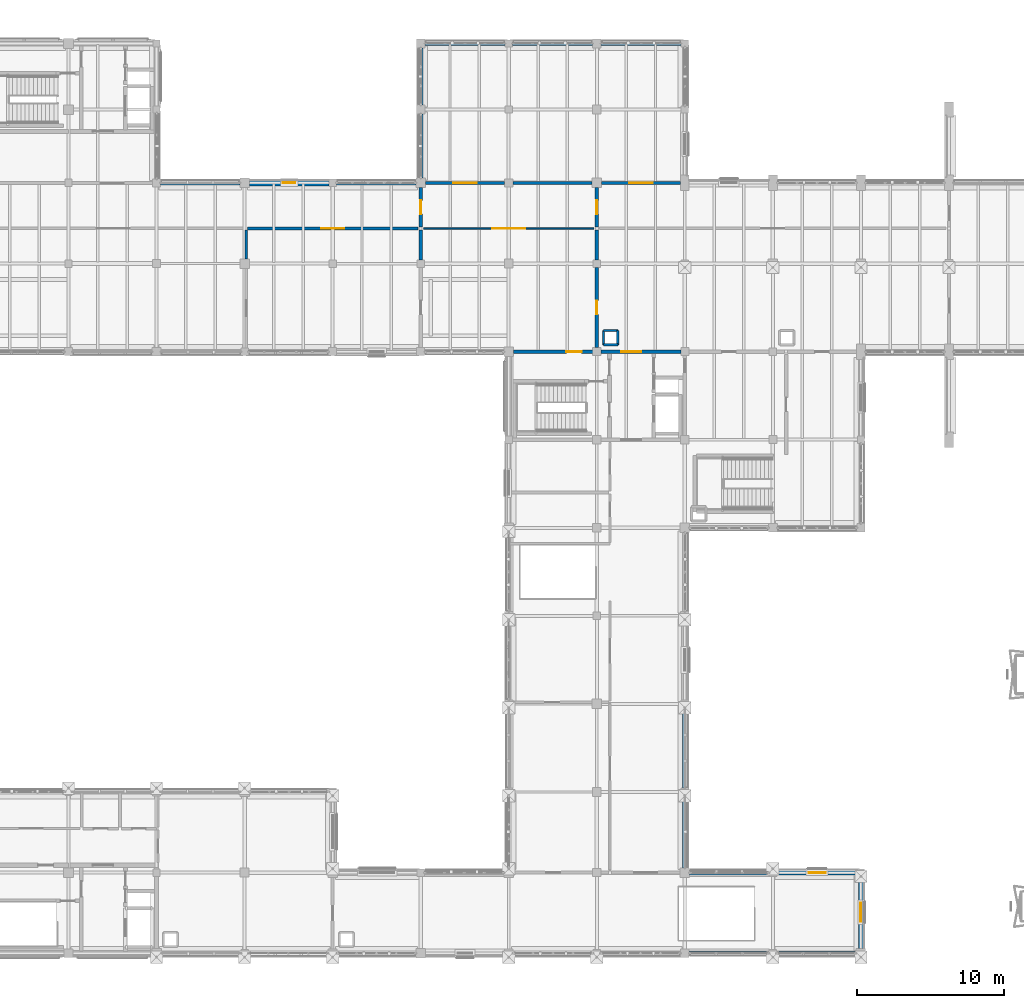
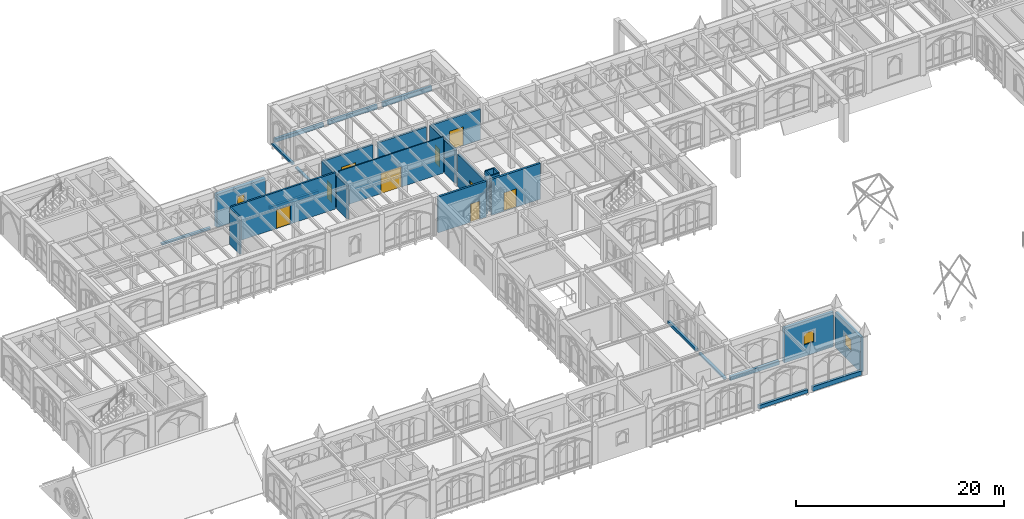
# One storey, part 105 of 143: 32 walls, 9 doors, 3 windows, 12 openings.
"""IFC4 building model written with IfcOpenShell, lengths in metres."""

from ifc_helpers import new_model, si_unit, direction, frame, frame_2d, origin, place, context, subcontext, project, spatial, rectangle, extrude, material, layer, layer_set, type_object, element, fill, save


model = new_model("IFC4")

# Units and contexts
model_context = context("Model", 3, precision=1e-05, world=origin(), true_north=direction((0.0, 1.0)))
body_context = subcontext(model_context, "Body", "Model", "MODEL_VIEW")
ifc_project = project(units=[si_unit("LENGTHUNIT", "METRE"), si_unit("AREAUNIT", "SQUARE_METRE"), si_unit("VOLUMEUNIT", "CUBIC_METRE"), si_unit("PLANEANGLEUNIT", "RADIAN"), si_unit("MASSUNIT", "GRAM", prefix="KILO")], contexts=[model_context])

# Site, building, storey
site_placement = place(None, origin())
site = spatial("IfcSite", under=ifc_project, at=site_placement, CompositionType="ELEMENT")
building_placement = place(site_placement, origin())
building = spatial("IfcBuilding", under=site, at=building_placement, Name="Cumevento Cable Car Station", CompositionType="ELEMENT")
storey_placement = place(building_placement, frame((0.0, 0.0, 9.0)))
storey = spatial("IfcBuildingStorey", under=building, at=storey_placement, Name="L03", CompositionType="ELEMENT", Elevation=9.0)

# Walls
ifc_material_1 = material(Name="Gnaisse Facoidal Stone Ashlar 85 MPa", Category="masonry")
ifc_layer_1 = layer(ifc_material_1, 0.294921875)
ifc_layer_set_1 = layer_set([ifc_layer_1], Name="Gnaisse Facoidal Stone Ashlar 85 MPa")
wall_type_1 = type_object("IfcWallType", Name="Exterior Envelope Wall EW-295 295", PredefinedType="SOLIDWALL", material=ifc_layer_set_1)
wall_1_placement = place(storey_placement, frame((75.75, 4.0, 0.0), z_axis=(0.0, 0.0, 1.0), x_axis=(-1.0, 0.0, 0.0)))
element("IfcWall", 1, at=wall_1_placement, inside=storey, type_object=wall_type_1, Name="Exterior Sill Curb Wall EW-295 L03 #196", PredefinedType="SOLIDWALL", context=body_context, shape_type="SweptSolid", body=[
    extrude(rectangle(XDim=5.449951171875, YDim=0.294921875, at=frame_2d((2.72509765625, 0.0))), origin(), (0.0, 0.0, 1.0), 0.409912109375),
])
wall_2_placement = place(storey_placement, frame((70.324951171875, 9.5, 0.0), z_axis=(0.0, 0.0, 1.0), x_axis=(1.0, 0.0, 0.0)))
element("IfcWall", 2, at=wall_2_placement, inside=storey, type_object=wall_type_1, Name="Exterior Sill Curb Wall EW-295 L03 #197", PredefinedType="SOLIDWALL", context=body_context, shape_type="SweptSolid", body=[
    extrude(rectangle(XDim=5.400146484375, YDim=0.294921875, at=frame_2d((2.7001953125, 0.0))), origin(), (0.0, 0.0, 1.0), 0.4599609375),
])
wall_3_placement = place(storey_placement, frame((81.675048828125, 4.0, 0.0), z_axis=(0.0, 0.0, 1.0), x_axis=(-1.0, 0.0, 0.0)))
element("IfcWall", 3, at=wall_3_placement, inside=storey, type_object=wall_type_1, Name="Exterior Sill Curb Wall EW-295 L03 #198", PredefinedType="SOLIDWALL", context=body_context, shape_type="SweptSolid", body=[
    extrude(rectangle(XDim=5.425048828125, YDim=0.294921875, at=frame_2d((2.71240234375, 0.0))), origin(), (0.0, 0.0, 1.0), 0.52001953125),
])
wall_4_placement = place(storey_placement, frame((70.0, 14.75, 0.0), z_axis=(0.0, 0.0, 1.0), x_axis=(0.0, -1.0, 0.0)))
element("IfcWall", 4, at=wall_4_placement, inside=storey, type_object=wall_type_1, Name="Exterior Sill Curb Wall EW-295 L03 #202", PredefinedType="SOLIDWALL", context=body_context, shape_type="SweptSolid", body=[
    extrude(rectangle(XDim=4.925048828125, YDim=0.294921875, at=frame_2d((2.46240234375, 0.0))), origin(), (0.0, 0.0, 1.0), 0.2099609375),
])
wall_5_placement = place(storey_placement, frame((70.0, 20.72509765625, 0.0), z_axis=(0.0, 0.0, 1.0), x_axis=(0.0, -1.0, 0.0)))
element("IfcWall", 5, at=wall_5_placement, inside=storey, type_object=wall_type_1, Name="Exterior Sill Curb Wall EW-295 L03 #204", PredefinedType="SOLIDWALL", context=body_context, shape_type="SweptSolid", body=[
    extrude(rectangle(XDim=5.47509765625, YDim=0.294921875, at=frame_2d((2.737548828125, 0.0))), origin(), (0.0, 0.0, 1.0), 0.31005859375),
])
wall_6_placement = place(storey_placement, frame((34.27490234375, 56.5, 0.0), z_axis=(0.0, 0.0, 1.0), x_axis=(1.0, 0.0, 0.0)))
element("IfcWall", 6, at=wall_6_placement, inside=storey, type_object=wall_type_1, Name="Exterior Sill Curb Wall EW-295 L03 #228", PredefinedType="SOLIDWALL", context=body_context, shape_type="SweptSolid", body=[
    extrude(rectangle(XDim=5.400146484375, YDim=0.294921875, at=frame_2d((2.7001953125, 0.0))), origin(), (0.0, 0.0, 1.0), 0.2099609375),
])
wall_7_placement = place(storey_placement, frame((46.25, 56.5, 0.0), z_axis=(0.0, 0.0, 1.0), x_axis=(1.0, 0.0, 0.0)))
element("IfcWall", 7, at=wall_7_placement, inside=storey, type_object=wall_type_1, Name="Exterior Sill Curb Wall EW-295 L03 #232", PredefinedType="SOLIDWALL", context=body_context, shape_type="SweptSolid", body=[
    extrude(rectangle(XDim=5.425048828125, YDim=0.294921875, at=frame_2d((2.71240234375, 0.0))), origin(), (0.0, 0.0, 1.0), 0.31005859375),
])
wall_8_placement = place(storey_placement, frame((52.300048828125, 66.0, 0.0), z_axis=(0.0, 0.0, 1.0), x_axis=(1.0, 0.0, 0.0)))
element("IfcWall", 8, at=wall_8_placement, inside=storey, type_object=wall_type_1, Name="Exterior Sill Curb Wall EW-295 L03 #257", PredefinedType="SOLIDWALL", context=body_context, shape_type="SweptSolid", body=[
    extrude(rectangle(XDim=5.449951171875, YDim=0.294921875, at=frame_2d((2.72509765625, 0.0))), origin(), (0.0, 0.0, 1.0), 0.409912109375),
])
wall_9_placement = place(storey_placement, frame((58.25, 66.0, 0.0), z_axis=(0.0, 0.0, 1.0), x_axis=(1.0, 0.0, 0.0)))
element("IfcWall", 9, at=wall_9_placement, inside=storey, type_object=wall_type_1, Name="Exterior Sill Curb Wall EW-295 L03 #258", PredefinedType="SOLIDWALL", context=body_context, shape_type="SweptSolid", body=[
    extrude(rectangle(XDim=5.449951171875, YDim=0.294921875, at=frame_2d((2.72509765625, 0.0))), origin(), (0.0, 0.0, 1.0), 0.4599609375),
])
wall_10_placement = place(storey_placement, frame((64.300048828125, 66.0, 0.0), z_axis=(0.0, 0.0, 1.0), x_axis=(1.0, 0.0, 0.0)))
element("IfcWall", 10, at=wall_10_placement, inside=storey, type_object=wall_type_1, Name="Exterior Sill Curb Wall EW-295 L03 #259", PredefinedType="SOLIDWALL", context=body_context, shape_type="SweptSolid", body=[
    extrude(rectangle(XDim=5.449951171875, YDim=0.294921875, at=frame_2d((2.72509765625, 0.0))), origin(), (0.0, 0.0, 1.0), 0.52001953125),
])
wall_11_placement = place(storey_placement, frame((52.0, 56.824951171875, 0.0), z_axis=(0.0, 0.0, 1.0), x_axis=(0.0, 1.0, 0.0)))
element("IfcWall", 11, at=wall_11_placement, inside=storey, type_object=wall_type_1, Name="Exterior Sill Curb Wall EW-295 L03 #260", PredefinedType="SOLIDWALL", context=body_context, shape_type="SweptSolid", body=[
    extrude(rectangle(XDim=4.375, YDim=0.294921875, at=frame_2d((2.1875, 0.0))), origin(), (0.0, 0.0, 1.0), 0.159912109375),
])
wall_12_placement = place(storey_placement, frame((52.0, 61.800048828125, 0.0), z_axis=(0.0, 0.0, 1.0), x_axis=(0.0, 1.0, 0.0)))
element("IfcWall", 12, at=wall_12_placement, inside=storey, type_object=wall_type_1, Name="Exterior Sill Curb Wall EW-295 L03 #262", PredefinedType="SOLIDWALL", context=body_context, shape_type="SweptSolid", body=[
    extrude(rectangle(XDim=3.89990234375, YDim=0.294921875, at=frame_2d((1.949951171875, 0.0))), origin(), (0.0, 0.0, 1.0), 0.2099609375),
])

# Wall, opening, window
ifc_material_2 = material(Name="Gnaisse Facoidal Stone Ashlar 85 MPa", Category="masonry")
ifc_layer_2 = layer(ifc_material_2, 0.324951171875)
ifc_layer_set_2 = layer_set([ifc_layer_2], Name="Gnaisse Facoidal Stone Ashlar 85 MPa")
wall_type_2 = type_object("IfcWallType", Name="Exterior Envelope Wall EW-325 325", PredefinedType="SOLIDWALL", material=ifc_layer_set_2)
wall_13_placement = place(storey_placement, frame((76.27490234375, 9.5, 0.0), z_axis=(0.0, 0.0, 1.0), x_axis=(1.0, 0.0, 0.0)))
wall_13 = element("IfcWall", 13, at=wall_13_placement, inside=storey, type_object=wall_type_2, Name="Exterior Wall EW-325 L03 #199", PredefinedType="SOLIDWALL", context=body_context, shape_type="SweptSolid", body=[
    extrude(rectangle(XDim=5.47509765625, YDim=0.324951171875, at=frame_2d((2.737548828125, 0.0))), origin(), (0.0, 0.0, 1.0), 4.093017578125),
])
opening_1_placement = place(wall_13_placement, frame((2.16259765625, 0.0, 1.35009765625)))
opening_1 = element("IfcOpeningElement", 14, at=opening_1_placement, cuts=wall_13, Name="Opening WN-L03-066", PredefinedType="OPENING", context=body_context, shape_type="SweptSolid", body=[
    extrude(rectangle(XDim=1.14990234375, YDim=1.35009765625, at=frame_2d((0.574951171875, 0.675048828125))), frame((0.0, 0.172607421875, 0.0), z_axis=(0.0, -1.0, 0.0), x_axis=(1.0, 0.0, 0.0)), (0.0, 0.0, 1.0), 0.344970703125),
])
ifc_material_3 = material(Name="Anodised Bronze Aluminium & Laminated Solar Glass", Category="aluminium")
window_type_1 = type_object("IfcWindowType", Name="Lancet Window WN-18 1150x1350", PartitioningType="SINGLE_PANEL", PredefinedType="WINDOW", material=ifc_material_3)
window_1_placement = place(opening_1_placement, origin())
window_1 = element("IfcWindow", 15, at=window_1_placement, inside=storey, type_object=window_type_1, Name="Lancet Window WN-L03-066 (WN-18)", OverallHeight=1.35009765625, OverallWidth=1.14990234375, PartitioningType="SINGLE_PANEL", PredefinedType="WINDOW", context=body_context, shape_type="SweptSolid", body=[
    extrude(rectangle(XDim=1.14990234375, YDim=1.35009765625, at=frame_2d((0.574951171875, 0.675048828125))), frame((0.0, 0.030029296875, 0.0), z_axis=(0.0, -1.0, 0.0), x_axis=(1.0, 0.0, 0.0)), (0.0, 0.0, 1.0), 0.06005859375),
])
fill(opening_1, window_1)

ifc_material_4 = material(Name="Concrete C40/50", Category="concrete")
ifc_layer_3 = layer(ifc_material_4, 0.340087890625)
ifc_layer_set_3 = layer_set([ifc_layer_3], Name="Concrete C40/50")
wall_type_3 = type_object("IfcWallType", Name="Exterior Envelope Wall EW-340 340", PredefinedType="SOLIDWALL", material=ifc_layer_set_3)
wall_14_placement = place(storey_placement, frame((82.0, 9.25, 0.0), z_axis=(0.0, 0.0, 1.0), x_axis=(0.0, -1.0, 0.0)))
wall_14 = element("IfcWall", 16, at=wall_14_placement, inside=storey, type_object=wall_type_3, Name="Exterior Wall EW-340 L03 #200", PredefinedType="SOLIDWALL", context=body_context, shape_type="SweptSolid", body=[
    extrude(rectangle(XDim=4.925048828125, YDim=0.340087890625, at=frame_2d((2.46240234375, 0.0))), origin(), (0.0, 0.0, 1.0), 4.093017578125),
])
opening_2_placement = place(wall_14_placement, frame((1.8125, 0.0, 1.300048828125)))
opening_2 = element("IfcOpeningElement", 17, at=opening_2_placement, cuts=wall_14, Name="Opening WN-L03-067", PredefinedType="OPENING", context=body_context, shape_type="SweptSolid", body=[
    extrude(rectangle(XDim=1.300048828125, YDim=1.449951171875, at=frame_2d((0.64990234375, 0.72509765625))), frame((0.0, 0.179931640625, 0.0), z_axis=(0.0, -1.0, 0.0), x_axis=(1.0, 0.0, 0.0)), (0.0, 0.0, 1.0), 0.360107421875),
])
ifc_material_5 = material(Name="Anodised Bronze Aluminium & Laminated Solar Glass", Category="aluminium")
window_type_2 = type_object("IfcWindowType", Name="Lancet Window WN-19 1300x1450", PartitioningType="SINGLE_PANEL", PredefinedType="WINDOW", material=ifc_material_5)
window_2_placement = place(opening_2_placement, origin())
window_2 = element("IfcWindow", 18, at=window_2_placement, inside=storey, type_object=window_type_2, Name="Lancet Window WN-L03-067 (WN-19)", OverallHeight=1.449951171875, OverallWidth=1.300048828125, PartitioningType="SINGLE_PANEL", PredefinedType="WINDOW", context=body_context, shape_type="SweptSolid", body=[
    extrude(rectangle(XDim=1.300048828125, YDim=1.449951171875, at=frame_2d((0.64990234375, 0.72509765625))), frame((0.0, 0.030029296875, 0.0), z_axis=(0.0, -1.0, 0.0), x_axis=(1.0, 0.0, 0.0)), (0.0, 0.0, 1.0), 0.06005859375),
])
fill(opening_2, window_2)

ifc_material_6 = material(Name="Concrete C40/50", Category="concrete")
ifc_layer_4 = layer(ifc_material_6, 0.39990234375)
ifc_layer_set_4 = layer_set([ifc_layer_4], Name="Concrete C40/50")
wall_type_4 = type_object("IfcWallType", Name="Exterior Envelope Wall EW-400 400", PredefinedType="SOLIDWALL", material=ifc_layer_set_4)
wall_15_placement = place(storey_placement, frame((40.324951171875, 56.5, 0.0), z_axis=(0.0, 0.0, 1.0), x_axis=(1.0, 0.0, 0.0)))
wall_15 = element("IfcWall", 19, at=wall_15_placement, inside=storey, type_object=wall_type_4, Name="Exterior Wall EW-400 L03 #230", PredefinedType="SOLIDWALL", context=body_context, shape_type="SweptSolid", body=[
    extrude(rectangle(XDim=5.425048828125, YDim=0.39990234375, at=frame_2d((2.71240234375, 0.0))), origin(), (0.0, 0.0, 1.0), 3.89306640625),
])
opening_3_placement = place(wall_15_placement, frame((2.28759765625, 0.0, 0.89990234375)))
opening_3 = element("IfcOpeningElement", 20, at=opening_3_placement, cuts=wall_15, Name="Opening WN-L03-073", PredefinedType="OPENING", context=body_context, shape_type="SweptSolid", body=[
    extrude(rectangle(XDim=0.85009765625, YDim=1.949951171875, at=frame_2d((0.425048828125, 0.97509765625))), frame((0.0, 0.2099609375, 0.0), z_axis=(0.0, -1.0, 0.0), x_axis=(1.0, 0.0, 0.0)), (0.0, 0.0, 1.0), 0.419921875),
])
ifc_material_7 = material(Name="Anodised Bronze Aluminium & Laminated Solar Glass", Category="aluminium")
window_type_3 = type_object("IfcWindowType", Name="Lancet Window WN-01 850x1950", PartitioningType="SINGLE_PANEL", PredefinedType="WINDOW", material=ifc_material_7)
window_3_placement = place(opening_3_placement, origin())
window_3 = element("IfcWindow", 21, at=window_3_placement, inside=storey, type_object=window_type_3, Name="Lancet Window WN-L03-073 (WN-01)", OverallHeight=1.949951171875, OverallWidth=0.85009765625, PartitioningType="SINGLE_PANEL", PredefinedType="WINDOW", context=body_context, shape_type="SweptSolid", body=[
    extrude(rectangle(XDim=0.85009765625, YDim=1.949951171875, at=frame_2d((0.425048828125, 0.97509765625))), frame((0.0, 0.030029296875, 0.0), z_axis=(0.0, -1.0, 0.0), x_axis=(1.0, 0.0, 0.0)), (0.0, 0.0, 1.0), 0.06005859375),
])
fill(opening_3, window_3)

# Wall
ifc_material_8 = material(Name="Concrete C40/50", Category="concrete")
ifc_layer_5 = layer(ifc_material_8, 0.219970703125)
ifc_layer_set_5 = layer_set([ifc_layer_5], Name="Concrete C40/50")
wall_type_5 = type_object("IfcWallType", Name="Interior Partition FW-220 220", PredefinedType="SOLIDWALL", material=ifc_layer_set_5)
wall_16_placement = place(storey_placement, frame((52.0, 51.251953125, 0.0), z_axis=(0.0, 0.0, 1.0), x_axis=(0.0, 1.0, 0.0)))
element("IfcWall", 22, at=wall_16_placement, inside=storey, type_object=wall_type_5, Name="Interior Wall FW-220 L03 #655", PredefinedType="SOLIDWALL", context=body_context, shape_type="SweptSolid", body=[
    extrude(rectangle(XDim=2.048095703125, YDim=0.219970703125, at=frame_2d((1.02392578125, 0.0))), origin(), (0.0, 0.0, 1.0), 3.885986328125),
])

# Wall, opening, door
wall_17_placement = place(storey_placement, frame((52.0, 53.5, 0.0), z_axis=(0.0, 0.0, 1.0), x_axis=(0.0, 1.0, 0.0)))
wall_17 = element("IfcWall", 23, at=wall_17_placement, inside=storey, type_object=wall_type_5, Name="Interior Wall FW-220 L03 #658", PredefinedType="SOLIDWALL", context=body_context, shape_type="SweptSolid", body=[
    extrude(rectangle(XDim=2.673095703125, YDim=0.219970703125, at=frame_2d((1.33642578125, 0.0))), origin(), (0.0, 0.0, 1.0), 3.885986328125),
])
opening_4_placement = place(wall_17_placement, frame((0.866455078125, 0.0, 0.0)))
opening_4 = element("IfcOpeningElement", 24, at=opening_4_placement, cuts=wall_17, Name="Opening DR-L03-252", PredefinedType="OPENING", context=body_context, shape_type="SweptSolid", body=[
    extrude(rectangle(XDim=0.93994140625, YDim=2.10009765625, at=frame_2d((0.469970703125, 1.050048828125))), frame((0.0, 0.119873046875, 0.0), z_axis=(0.0, -1.0, 0.0), x_axis=(1.0, 0.0, 0.0)), (0.0, 0.0, 1.0), 0.239990234375),
])
ifc_material_9 = material(Name="Galvanised Painted Steel Fire Door", Category="steel")
door_type_1 = type_object("IfcDoorType", Name="Interior Door FD-08 940x2100", OperationType="NOTDEFINED", PredefinedType="DOOR", material=ifc_material_9)
door_1_placement = place(opening_4_placement, origin())
door_1 = element("IfcDoor", 25, at=door_1_placement, inside=storey, type_object=door_type_1, Name="Interior Door DR-L03-252 (FD-08)", OperationType="SINGLE_SWING_RIGHT", OverallHeight=2.10009765625, OverallWidth=0.93994140625, PredefinedType="DOOR", context=body_context, shape_type="SweptSolid", body=[
    extrude(rectangle(XDim=0.93994140625, YDim=2.10009765625, at=frame_2d((0.469970703125, 1.050048828125))), frame((0.0, 0.02490234375, 0.0), z_axis=(0.0, -1.0, 0.0), x_axis=(1.0, 0.0, 0.0)), (0.0, 0.0, 1.0), 0.050048828125),
])
fill(opening_4, door_1)

wall_18_placement = place(storey_placement, frame((64.0, 45.277099609375, 0.0), z_axis=(0.0, 0.0, 1.0), x_axis=(0.0, 1.0, 0.0)))
wall_18 = element("IfcWall", 26, at=wall_18_placement, inside=storey, type_object=wall_type_5, Name="Interior Wall FW-220 L03 #660", PredefinedType="SOLIDWALL", context=body_context, shape_type="SweptSolid", body=[
    extrude(rectangle(XDim=5.470947265625, YDim=0.219970703125, at=frame_2d((2.7353515625, 0.0))), origin(), (0.0, 0.0, 1.0), 3.759033203125),
])
opening_5_placement = place(wall_18_placement, frame((2.265380859375, 0.0, 0.0)))
opening_5 = element("IfcOpeningElement", 27, at=opening_5_placement, cuts=wall_18, Name="Opening DR-L03-254", PredefinedType="OPENING", context=body_context, shape_type="SweptSolid", body=[
    extrude(rectangle(XDim=0.93994140625, YDim=2.10009765625, at=frame_2d((0.469970703125, 1.050048828125))), frame((0.0, 0.119873046875, 0.0), z_axis=(0.0, -1.0, 0.0), x_axis=(1.0, 0.0, 0.0)), (0.0, 0.0, 1.0), 0.239990234375),
])
door_2_placement = place(opening_5_placement, origin())
door_2 = element("IfcDoor", 28, at=door_2_placement, inside=storey, type_object=door_type_1, Name="Interior Door DR-L03-254 (FD-08)", OperationType="SINGLE_SWING_LEFT", OverallHeight=2.10009765625, OverallWidth=0.93994140625, PredefinedType="DOOR", context=body_context, shape_type="SweptSolid", body=[
    extrude(rectangle(XDim=0.93994140625, YDim=2.10009765625, at=frame_2d((0.469970703125, 1.050048828125))), frame((0.0, 0.02490234375, 0.0), z_axis=(0.0, -1.0, 0.0), x_axis=(1.0, 0.0, 0.0)), (0.0, 0.0, 1.0), 0.050048828125),
])
fill(opening_5, door_2)

# Wall
wall_19_placement = place(storey_placement, frame((64.0, 51.251953125, 0.0), z_axis=(0.0, 0.0, 1.0), x_axis=(0.0, 1.0, 0.0)))
element("IfcWall", 29, at=wall_19_placement, inside=storey, type_object=wall_type_5, Name="Interior Wall FW-220 L03 #661", PredefinedType="SOLIDWALL", context=body_context, shape_type="SweptSolid", body=[
    extrude(rectangle(XDim=2.048095703125, YDim=0.219970703125, at=frame_2d((1.02392578125, 0.0))), origin(), (0.0, 0.0, 1.0), 3.885986328125),
])

# Wall, opening, door
wall_20_placement = place(storey_placement, frame((64.0, 53.5, 0.0), z_axis=(0.0, 0.0, 1.0), x_axis=(0.0, 1.0, 0.0)))
wall_20 = element("IfcWall", 30, at=wall_20_placement, inside=storey, type_object=wall_type_5, Name="Interior Wall FW-220 L03 #662", PredefinedType="SOLIDWALL", context=body_context, shape_type="SweptSolid", body=[
    extrude(rectangle(XDim=2.673095703125, YDim=0.219970703125, at=frame_2d((1.33642578125, 0.0))), origin(), (0.0, 0.0, 1.0), 3.885986328125),
])
opening_6_placement = place(wall_20_placement, frame((0.866455078125, 0.0, 0.0)))
opening_6 = element("IfcOpeningElement", 31, at=opening_6_placement, cuts=wall_20, Name="Opening DR-L03-255", PredefinedType="OPENING", context=body_context, shape_type="SweptSolid", body=[
    extrude(rectangle(XDim=0.93994140625, YDim=2.10009765625, at=frame_2d((0.469970703125, 1.050048828125))), frame((0.0, 0.119873046875, 0.0), z_axis=(0.0, -1.0, 0.0), x_axis=(1.0, 0.0, 0.0)), (0.0, 0.0, 1.0), 0.239990234375),
])
door_3_placement = place(opening_6_placement, origin())
door_3 = element("IfcDoor", 32, at=door_3_placement, inside=storey, type_object=door_type_1, Name="Interior Door DR-L03-255 (FD-08)", OperationType="SINGLE_SWING_RIGHT", OverallHeight=2.10009765625, OverallWidth=0.93994140625, PredefinedType="DOOR", context=body_context, shape_type="SweptSolid", body=[
    extrude(rectangle(XDim=0.93994140625, YDim=2.10009765625, at=frame_2d((0.469970703125, 1.050048828125))), frame((0.0, 0.02490234375, 0.0), z_axis=(0.0, -1.0, 0.0), x_axis=(1.0, 0.0, 0.0)), (0.0, 0.0, 1.0), 0.050048828125),
])
fill(opening_6, door_3)

wall_21_placement = place(storey_placement, frame((52.326904296875, 56.5, 0.0), z_axis=(0.0, 0.0, 1.0), x_axis=(1.0, 0.0, 0.0)))
wall_21 = element("IfcWall", 33, at=wall_21_placement, inside=storey, type_object=wall_type_5, Name="Interior Wall FW-220 L03 #663", PredefinedType="SOLIDWALL", context=body_context, shape_type="SweptSolid", body=[
    extrude(rectangle(XDim=5.39599609375, YDim=0.219970703125, at=frame_2d((2.697998046875, 0.0))), origin(), (0.0, 0.0, 1.0), 3.623046875),
])
opening_7_placement = place(wall_21_placement, frame((1.907958984375, 0.0, 0.0)))
opening_7 = element("IfcOpeningElement", 34, at=opening_7_placement, cuts=wall_21, Name="Opening DR-L03-256", PredefinedType="OPENING", context=body_context, shape_type="SweptSolid", body=[
    extrude(rectangle(XDim=1.580078125, YDim=2.199951171875, at=frame_2d((0.7900390625, 1.10009765625))), frame((0.0, 0.119873046875, 0.0), z_axis=(0.0, -1.0, 0.0), x_axis=(1.0, 0.0, 0.0)), (0.0, 0.0, 1.0), 0.239990234375),
])
ifc_material_10 = material(Name="Galvanised Painted Steel Fire Door", Category="steel")
door_type_2 = type_object("IfcDoorType", Name="Interior Door FD-06 1580x2200", OperationType="NOTDEFINED", PredefinedType="DOOR", material=ifc_material_10)
door_4_placement = place(opening_7_placement, origin())
door_4 = element("IfcDoor", 35, at=door_4_placement, inside=storey, type_object=door_type_2, Name="Interior Door DR-L03-256 (FD-06)", OperationType="DOUBLE_DOOR_SINGLE_SWING", OverallHeight=2.199951171875, OverallWidth=1.580078125, PredefinedType="DOOR", context=body_context, shape_type="SweptSolid", body=[
    extrude(rectangle(XDim=1.580078125, YDim=2.199951171875, at=frame_2d((0.7900390625, 1.10009765625))), frame((0.0, 0.02490234375, 0.0), z_axis=(0.0, -1.0, 0.0), x_axis=(1.0, 0.0, 0.0)), (0.0, 0.0, 1.0), 0.050048828125),
])
fill(opening_7, door_4)

# Wall
wall_22_placement = place(storey_placement, frame((58.277099609375, 56.5, 0.0), z_axis=(0.0, 0.0, 1.0), x_axis=(1.0, 0.0, 0.0)))
element("IfcWall", 36, at=wall_22_placement, inside=storey, type_object=wall_type_5, Name="Interior Wall FW-220 L03 #664", PredefinedType="SOLIDWALL", context=body_context, shape_type="SweptSolid", body=[
    extrude(rectangle(XDim=5.39599609375, YDim=0.219970703125, at=frame_2d((2.697998046875, 0.0))), origin(), (0.0, 0.0, 1.0), 3.623046875),
])

# Wall, opening, door
wall_23_placement = place(storey_placement, frame((64.326904296875, 56.5, 0.0), z_axis=(0.0, 0.0, 1.0), x_axis=(1.0, 0.0, 0.0)))
wall_23 = element("IfcWall", 37, at=wall_23_placement, inside=storey, type_object=wall_type_5, Name="Interior Wall FW-220 L03 #669", PredefinedType="SOLIDWALL", context=body_context, shape_type="SweptSolid", body=[
    extrude(rectangle(XDim=5.37109375, YDim=0.219970703125, at=frame_2d((2.685546875, 0.0))), origin(), (0.0, 0.0, 1.0), 3.623046875),
])
opening_8_placement = place(wall_23_placement, frame((1.8955078125, 0.0, 0.0)))
opening_8 = element("IfcOpeningElement", 38, at=opening_8_placement, cuts=wall_23, Name="Opening DR-L03-260", PredefinedType="OPENING", context=body_context, shape_type="SweptSolid", body=[
    extrude(rectangle(XDim=1.580078125, YDim=2.199951171875, at=frame_2d((0.7900390625, 1.10009765625))), frame((0.0, 0.119873046875, 0.0), z_axis=(0.0, -1.0, 0.0), x_axis=(1.0, 0.0, 0.0)), (0.0, 0.0, 1.0), 0.239990234375),
])
door_5_placement = place(opening_8_placement, origin())
door_5 = element("IfcDoor", 39, at=door_5_placement, inside=storey, type_object=door_type_2, Name="Interior Door DR-L03-260 (FD-06)", OperationType="DOUBLE_DOOR_SINGLE_SWING", OverallHeight=2.199951171875, OverallWidth=1.580078125, PredefinedType="DOOR", context=body_context, shape_type="SweptSolid", body=[
    extrude(rectangle(XDim=1.580078125, YDim=2.199951171875, at=frame_2d((0.7900390625, 1.10009765625))), frame((0.0, 0.02490234375, 0.0), z_axis=(0.0, -1.0, 0.0), x_axis=(1.0, 0.0, 0.0)), (0.0, 0.0, 1.0), 0.050048828125),
])
fill(opening_8, door_5)

ifc_material_11 = material(Name="Gypsum Board & Insulated Stud Partition", Category="gypsum")
ifc_layer_6 = layer(ifc_material_11, 0.114990234375)
ifc_layer_set_6 = layer_set([ifc_layer_6], Name="Gypsum Board & Insulated Stud Partition")
wall_type_6 = type_object("IfcWallType", Name="Interior Partition PT-115 115", PredefinedType="PARTITIONING", material=ifc_layer_set_6)
wall_24_placement = place(storey_placement, frame((52.199951171875, 53.39990234375, 0.0), z_axis=(0.0, 0.0, 1.0), x_axis=(1.0, 0.0, 0.0)))
wall_24 = element("IfcWall", 40, at=wall_24_placement, inside=storey, type_object=wall_type_6, Name="Interior Wall PT-115 L03 #659", PredefinedType="PARTITIONING", context=body_context, shape_type="SweptSolid", body=[
    extrude(rectangle(XDim=11.60009765625, YDim=0.114990234375, at=frame_2d((5.800048828125, 0.0))), origin(), (0.0, 0.0, 1.0), 4.27587890625),
])
opening_9_placement = place(wall_24_placement, frame((4.679931640625, 0.0, 0.0)))
opening_9 = element("IfcOpeningElement", 41, at=opening_9_placement, cuts=wall_24, Name="Opening DR-L03-253", PredefinedType="OPENING", context=body_context, shape_type="SweptSolid", body=[
    extrude(rectangle(XDim=2.239990234375, YDim=2.39990234375, at=frame_2d((1.1201171875, 1.199951171875))), frame((0.0, 0.067626953125, 0.0), z_axis=(0.0, -1.0, 0.0), x_axis=(1.0, 0.0, 0.0)), (0.0, 0.0, 1.0), 0.135009765625),
])
ifc_material_12 = material(Name="Anodised Bronze Aluminium Glazed Door", Category="aluminium")
door_type_3 = type_object("IfcDoorType", Name="Interior Door ID-16 2240x2400", OperationType="NOTDEFINED", PredefinedType="DOOR", material=ifc_material_12)
door_6_placement = place(opening_9_placement, origin())
door_6 = element("IfcDoor", 42, at=door_6_placement, inside=storey, type_object=door_type_3, Name="Interior Door DR-L03-253 (ID-16)", OperationType="DOUBLE_DOOR_SINGLE_SWING", OverallHeight=2.39990234375, OverallWidth=2.239990234375, PredefinedType="DOOR", context=body_context, shape_type="SweptSolid", body=[
    extrude(rectangle(XDim=2.239990234375, YDim=2.39990234375, at=frame_2d((1.1201171875, 1.199951171875))), frame((0.0, 0.02490234375, 0.0), z_axis=(0.0, -1.0, 0.0), x_axis=(1.0, 0.0, 0.0)), (0.0, 0.0, 1.0), 0.050048828125),
])
fill(opening_9, door_6)

# Walls
ifc_material_13 = material(Name="Gypsum Board & Insulated Stud Partition", Category="gypsum")
ifc_layer_7 = layer(ifc_material_13, 0.14501953125)
ifc_layer_set_7 = layer_set([ifc_layer_7], Name="Gypsum Board & Insulated Stud Partition")
wall_type_7 = type_object("IfcWallType", Name="Interior Partition PT-145 145", PredefinedType="PARTITIONING", material=ifc_layer_set_7)
for number, where, z_axis, x_axis, name in (
    (43, (64.469970703125, 45.469970703125, 0.0), (0.0, 0.0, 1.0), (1.0, 0.0, 0.0), "Interior Wall PT-145 L03 #65"),
    (44, (65.429931640625, 45.469970703125, 0.0), (0.0, 0.0, 1.0), (0.0, 1.0, 0.0), "Interior Wall PT-145 L03 #66"),
    (45, (65.429931640625, 46.429931640625, 0.0), (0.0, 0.0, 1.0), (-1.0, 0.0, 0.0), "Interior Wall PT-145 L03 #67"),
    (46, (64.469970703125, 46.429931640625, 0.0), (0.0, 0.0, 1.0), (0.0, -1.0, 0.0), "Interior Wall PT-145 L03 #68"),
):
    element("IfcWall", number, at=place(storey_placement, frame(where, z_axis=z_axis, x_axis=x_axis)), inside=storey, type_object=wall_type_7, Name=name, PredefinedType="PARTITIONING", context=body_context, shape_type="SweptSolid", body=[
        extrude(rectangle(XDim=0.9599609375, YDim=0.14501953125, at=frame_2d((0.47998046875, 0.0))), origin(), (0.0, 0.0, 1.0), 4.251953125),
    ])
ifc_material_14 = material(Name="Moisture-Resistant Tile & Stud Partition", Category="gypsum")
ifc_layer_8 = layer(ifc_material_14, 0.175048828125)
ifc_layer_set_8 = layer_set([ifc_layer_8], Name="Moisture-Resistant Tile & Stud Partition")
wall_type_8 = type_object("IfcWallType", Name="Interior Partition PT-175 175", PredefinedType="PARTITIONING", material=ifc_layer_set_8)
wall_25_placement = place(storey_placement, frame((40.10009765625, 51.326904296875, 0.0), z_axis=(0.0, 0.0, 1.0), x_axis=(0.0, 1.0, 0.0)))
element("IfcWall", 47, at=wall_25_placement, inside=storey, type_object=wall_type_8, Name="Interior Wall PT-175 L03 #651", PredefinedType="PARTITIONING", context=body_context, shape_type="SweptSolid", body=[
    extrude(rectangle(XDim=1.97314453125, YDim=0.175048828125, at=frame_2d((0.986572265625, 0.0))), origin(), (0.0, 0.0, 1.0), 4.300048828125),
])

# Wall, opening, door
ifc_material_15 = material(Name="Acoustic Double-Stud Partition", Category="gypsum")
ifc_layer_9 = layer(ifc_material_15, 0.195068359375)
ifc_layer_set_9 = layer_set([ifc_layer_9], Name="Acoustic Double-Stud Partition")
wall_type_9 = type_object("IfcWallType", Name="Interior Partition PT-195 195", PredefinedType="PARTITIONING", material=ifc_layer_set_9)
wall_26_placement = place(storey_placement, frame((40.199951171875, 53.39990234375, 0.0), z_axis=(0.0, 0.0, 1.0), x_axis=(1.0, 0.0, 0.0)))
wall_26 = element("IfcWall", 48, at=wall_26_placement, inside=storey, type_object=wall_type_9, Name="Interior Wall PT-195 L03 #653", PredefinedType="PARTITIONING", context=body_context, shape_type="SweptSolid", body=[
    extrude(rectangle(XDim=11.60009765625, YDim=0.195068359375, at=frame_2d((5.800048828125, 0.0))), origin(), (0.0, 0.0, 1.0), 4.300048828125),
])
opening_10_placement = place(wall_26_placement, frame((5.010009765625, 0.0, 0.0)))
opening_10 = element("IfcOpeningElement", 49, at=opening_10_placement, cuts=wall_26, Name="Opening DR-L03-249", PredefinedType="OPENING", context=body_context, shape_type="SweptSolid", body=[
    extrude(rectangle(XDim=1.580078125, YDim=2.199951171875, at=frame_2d((0.7900390625, 1.10009765625))), frame((0.0, 0.107666015625, 0.0), z_axis=(0.0, -1.0, 0.0), x_axis=(1.0, 0.0, 0.0)), (0.0, 0.0, 1.0), 0.215087890625),
])
door_7_placement = place(opening_10_placement, origin())
door_7 = element("IfcDoor", 50, at=door_7_placement, inside=storey, type_object=door_type_2, Name="Interior Door DR-L03-249 (FD-06)", OperationType="DOUBLE_DOOR_SINGLE_SWING", OverallHeight=2.199951171875, OverallWidth=1.580078125, PredefinedType="DOOR", context=body_context, shape_type="SweptSolid", body=[
    extrude(rectangle(XDim=1.580078125, YDim=2.199951171875, at=frame_2d((0.7900390625, 1.10009765625))), frame((0.0, 0.02490234375, 0.0), z_axis=(0.0, -1.0, 0.0), x_axis=(1.0, 0.0, 0.0)), (0.0, 0.0, 1.0), 0.050048828125),
])
fill(opening_10, door_7)

ifc_material_16 = material(Name="Concrete C40/50", Category="concrete")
ifc_layer_10 = layer(ifc_material_16, 0.22998046875)
ifc_layer_set_10 = layer_set([ifc_layer_10], Name="Concrete C40/50")
wall_type_10 = type_object("IfcWallType", Name="Interior Shear Wall CW-230 230", PredefinedType="SHEAR", material=ifc_layer_set_10)
wall_27_placement = place(storey_placement, frame((58.324951171875, 45.0, 0.0), z_axis=(0.0, 0.0, 1.0), x_axis=(1.0, 0.0, 0.0)))
wall_27 = element("IfcWall", 51, at=wall_27_placement, inside=storey, type_object=wall_type_10, Name="Interior Wall CW-230 L03 #171", PredefinedType="SHEAR", context=body_context, shape_type="SweptSolid", body=[
    extrude(rectangle(XDim=5.400146484375, YDim=0.22998046875, at=frame_2d((2.7001953125, 0.0))), origin(), (0.0, 0.0, 1.0), 4.216064453125),
])
opening_11_placement = place(wall_27_placement, frame((3.60498046875, 0.0, 0.0)))
opening_11 = element("IfcOpeningElement", 52, at=opening_11_placement, cuts=wall_27, Name="Opening DR-L03-018", PredefinedType="OPENING", context=body_context, shape_type="SweptSolid", body=[
    extrude(rectangle(XDim=1.0400390625, YDim=2.139892578125, at=frame_2d((0.52001953125, 1.06982421875))), frame((0.0, 0.125, 0.0), z_axis=(0.0, -1.0, 0.0), x_axis=(1.0, 0.0, 0.0)), (0.0, 0.0, 1.0), 0.25),
])
ifc_material_17 = material(Name="Galvanised Painted Steel Fire Door", Category="steel")
door_type_4 = type_object("IfcDoorType", Name="Interior Door FD-02 1040x2140", OperationType="NOTDEFINED", PredefinedType="DOOR", material=ifc_material_17)
door_8_placement = place(opening_11_placement, origin())
door_8 = element("IfcDoor", 53, at=door_8_placement, inside=storey, type_object=door_type_4, Name="Core CORE1 N_vest Fire Door L03", OperationType="SINGLE_SWING_RIGHT", OverallHeight=2.139892578125, OverallWidth=1.0400390625, PredefinedType="DOOR", context=body_context, shape_type="SweptSolid", body=[
    extrude(rectangle(XDim=1.0400390625, YDim=2.139892578125, at=frame_2d((0.52001953125, 1.06982421875))), frame((0.0, 0.02490234375, 0.0), z_axis=(0.0, -1.0, 0.0), x_axis=(1.0, 0.0, 0.0)), (0.0, 0.0, 1.0), 0.050048828125),
])
fill(opening_11, door_8)

wall_28_placement = place(storey_placement, frame((64.27490234375, 45.0, 0.0), z_axis=(0.0, 0.0, 1.0), x_axis=(1.0, 0.0, 0.0)))
wall_28 = element("IfcWall", 54, at=wall_28_placement, inside=storey, type_object=wall_type_10, Name="Interior Wall CW-230 L03 #172", PredefinedType="SHEAR", context=body_context, shape_type="SweptSolid", body=[
    extrude(rectangle(XDim=5.4501953125, YDim=0.22998046875, at=frame_2d((2.72509765625, 0.0))), origin(), (0.0, 0.0, 1.0), 4.216064453125),
])
opening_12_placement = place(wall_28_placement, frame((1.385009765625, 0.0, 0.0)))
opening_12 = element("IfcOpeningElement", 55, at=opening_12_placement, cuts=wall_28, Name="Opening DR-L03-019", PredefinedType="OPENING", context=body_context, shape_type="SweptSolid", body=[
    extrude(rectangle(XDim=1.3798828125, YDim=2.159912109375, at=frame_2d((0.68994140625, 1.080078125))), frame((0.0, 0.125, 0.0), z_axis=(0.0, -1.0, 0.0), x_axis=(1.0, 0.0, 0.0)), (0.0, 0.0, 1.0), 0.25),
])
ifc_material_18 = material(Name="Galvanised Painted Steel Fire Door", Category="steel")
door_type_5 = type_object("IfcDoorType", Name="Interior Door FD-04 1380x2160", OperationType="NOTDEFINED", PredefinedType="DOOR", material=ifc_material_18)
door_9_placement = place(opening_12_placement, origin())
door_9 = element("IfcDoor", 56, at=door_9_placement, inside=storey, type_object=door_type_5, Name="Core CORE1 N_lobby Fire Door L03", OperationType="DOUBLE_DOOR_SINGLE_SWING", OverallHeight=2.159912109375, OverallWidth=1.3798828125, PredefinedType="DOOR", context=body_context, shape_type="SweptSolid", body=[
    extrude(rectangle(XDim=1.3798828125, YDim=2.159912109375, at=frame_2d((0.68994140625, 1.080078125))), frame((0.0, 0.02490234375, 0.0), z_axis=(0.0, -1.0, 0.0), x_axis=(1.0, 0.0, 0.0)), (0.0, 0.0, 1.0), 0.050048828125),
])
fill(opening_12, door_9)

save(model, "model.ifc")
